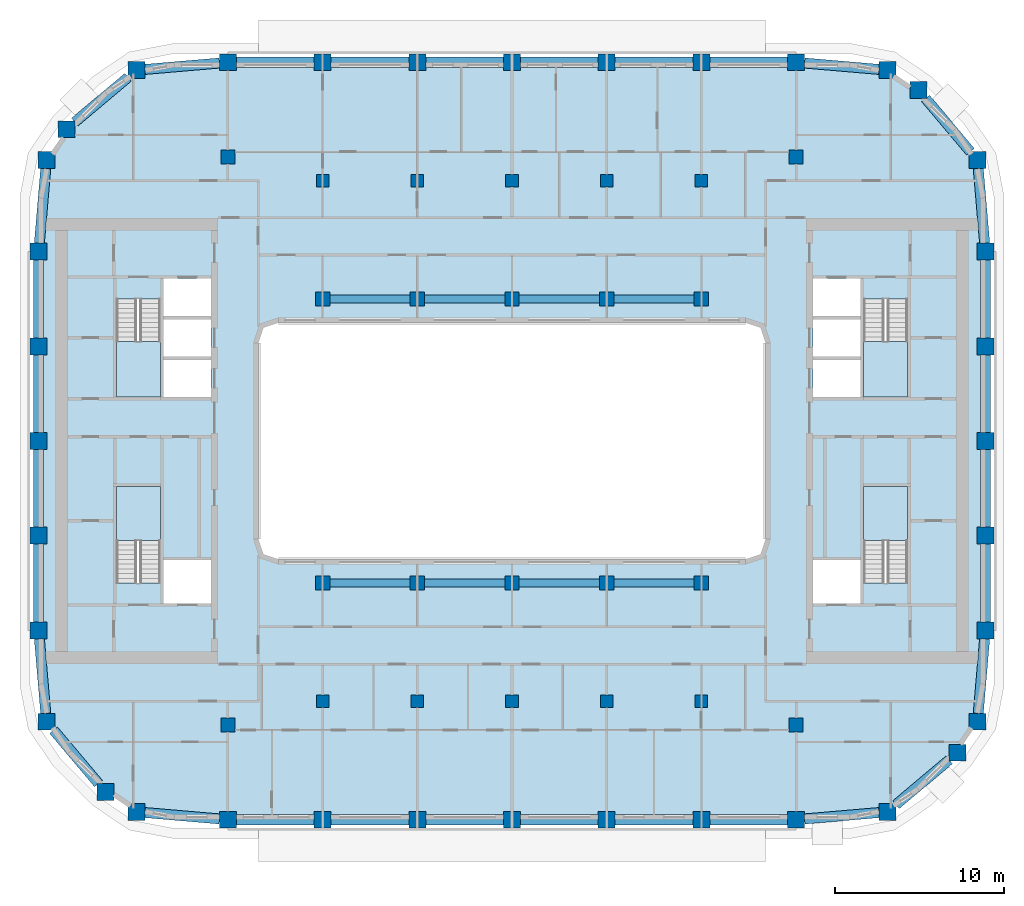
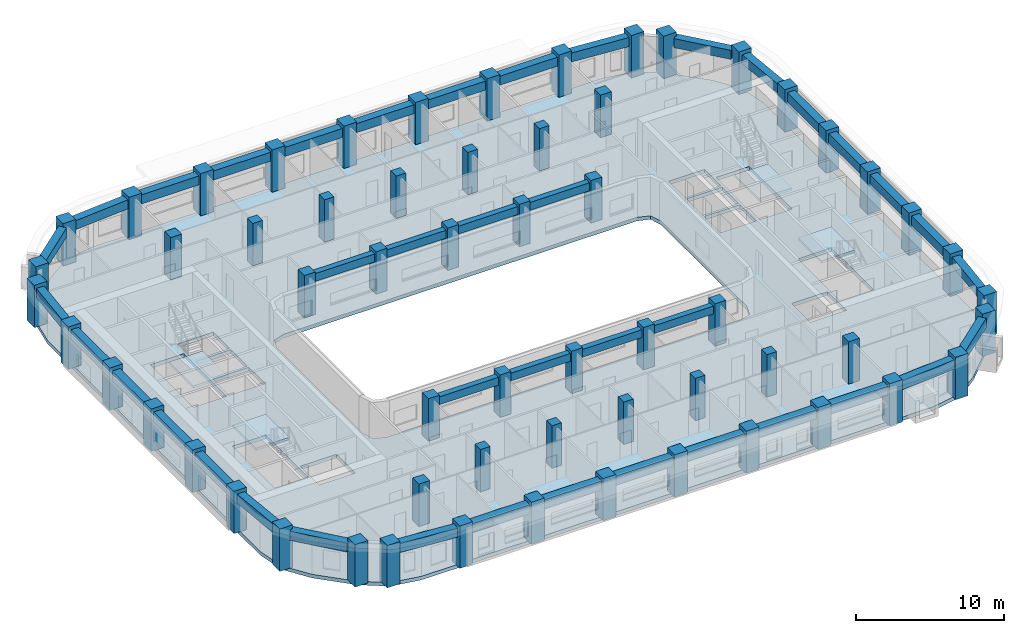
# One storey, part 1 of 22: 60 columns, 40 beams, 5 slabs, 4 elements without a shape of their own.
"""IFC4 building model written with IfcOpenShell, lengths in metres."""

from ifc_helpers import new_model, si_unit, direction, frame, origin, origin_2d, place, context, subcontext, project, spatial, polyline, rectangle, outline, extrude, material, layer, layer_set, material_profile, profile_set, type_object, element, aggregate, save


model = new_model("IFC4")

# Units and contexts
model_context = context("Model", 3, precision=1e-05, world=origin(), true_north=direction((0.0, 1.0)))
body_context = subcontext(model_context, "Body", "Model", "MODEL_VIEW")
ifc_project = project(units=[si_unit("LENGTHUNIT", "METRE"), si_unit("AREAUNIT", "SQUARE_METRE"), si_unit("VOLUMEUNIT", "CUBIC_METRE"), si_unit("PLANEANGLEUNIT", "RADIAN"), si_unit("MASSUNIT", "GRAM", prefix="KILO")], contexts=[model_context])

# Site, building, storey
site_placement = place(None, origin())
site = spatial("IfcSite", under=ifc_project, at=site_placement, CompositionType="ELEMENT")
building_placement = place(site_placement, origin())
building = spatial("IfcBuilding", under=site, at=building_placement, Name="Kiln Ring Residences", CompositionType="ELEMENT")
storey_placement = place(building_placement, frame((0.0, 0.0, 164.10009765625)))
storey = spatial("IfcBuildingStorey", under=building, at=storey_placement, Name="L42", CompositionType="ELEMENT", Elevation=164.10009765625)

# Columns
ifc_material_1 = material(Name="Concrete C70/85", Category="concrete")
ifc_material_profile_1 = material_profile(ifc_material_1, rectangle(XDim=0.75, YDim=0.75, at=origin_2d()), Name="RC750x750")
ifc_profile_set_1 = profile_set([ifc_material_profile_1], Name="Concrete C70/85")
column_type_1 = type_object("IfcColumnType", Name="Corridor column RC750x750 C70/85", PredefinedType="COLUMN", material=ifc_profile_set_1)
for number, where, z_axis, x_axis, name in (
    (1, (-11.199951171875, 15.39990234375, 0.0), (0.0, 0.0, 1.0), (1.0, 0.0, 0.0), "Corridor column L42 1"),
    (2, (-5.60009765625, 15.39990234375, 0.0), (0.0, 0.0, 1.0), (1.0, 0.0, 0.0), "Corridor column L42 2"),
    (3, (0.0, 15.39990234375, 0.0), (0.0, 0.0, 1.0), (1.0, 0.0, 0.0), "Corridor column L42 3"),
    (4, (5.60009765625, 15.39990234375, 0.0), (0.0, 0.0, 1.0), (1.0, 0.0, 0.0), "Corridor column L42 4"),
    (5, (11.199951171875, 15.39990234375, 0.0), (0.0, 0.0, 1.0), (1.0, 0.0, 0.0), "Corridor column L42 5"),
    (6, (-11.199951171875, -15.39990234375, 0.0), (0.0, 0.0, 1.0), (1.0, 0.0, 0.0), "Corridor column L42 6"),
    (7, (-5.60009765625, -15.39990234375, 0.0), (0.0, 0.0, 1.0), (1.0, 0.0, 0.0), "Corridor column L42 7"),
    (8, (0.0, -15.39990234375, 0.0), (0.0, 0.0, 1.0), (1.0, 0.0, 0.0), "Corridor column L42 8"),
    (9, (5.60009765625, -15.39990234375, 0.0), (0.0, 0.0, 1.0), (1.0, 0.0, 0.0), "Corridor column L42 9"),
    (10, (11.199951171875, -15.39990234375, 0.0), (0.0, 0.0, 1.0), (1.0, 0.0, 0.0), "Corridor column L42 10"),
):
    element("IfcColumn", number, at=place(storey_placement, frame(where, z_axis=z_axis, x_axis=x_axis)), inside=storey, type_object=column_type_1, Name=name, PredefinedType="COLUMN", context=body_context, shape_type="SweptSolid", body=[
        extrude(rectangle(XDim=0.75, YDim=0.75, at=origin_2d()), origin(), (0.0, 0.0, 1.0), 3.5),
    ])
ifc_material_2 = material(Name="Concrete C70/85", Category="concrete")
ifc_material_profile_2 = material_profile(ifc_material_2, rectangle(XDim=1.0, YDim=1.0, at=origin_2d()), Name="RC1000x1000")
ifc_profile_set_2 = profile_set([ifc_material_profile_2], Name="Concrete C70/85")
column_type_2 = type_object("IfcColumnType", Name="Perimeter column RC1000x1000 C70/85", PredefinedType="COLUMN", material=ifc_profile_set_2)
for number, where, z_axis, x_axis, name in (
    (11, (-22.208740234375, -21.93798828125, 0.0), (0.0, 0.0, 1.0), (1.0, 0.0, 0.0), "Perimeter column L42 1"),
    (12, (-16.800048828125, -22.39990234375, 0.0), (0.0, 0.0, 1.0), (1.0, 0.0, 0.0), "Perimeter column L42 2"),
    (13, (-11.199951171875, -22.39990234375, 0.0), (0.0, 0.0, 1.0), (1.0, 0.0, 0.0), "Perimeter column L42 3"),
    (14, (-5.60009765625, -22.39990234375, 0.0), (0.0, 0.0, 1.0), (1.0, 0.0, 0.0), "Perimeter column L42 4"),
    (15, (0.0, -22.39990234375, 0.0), (0.0, 0.0, 1.0), (1.0, 0.0, 0.0), "Perimeter column L42 5"),
    (16, (5.60009765625, -22.39990234375, 0.0), (0.0, 0.0, 1.0), (1.0, 0.0, 0.0), "Perimeter column L42 6"),
    (17, (11.199951171875, -22.39990234375, 0.0), (0.0, 0.0, 1.0), (1.0, 0.0, 0.0), "Perimeter column L42 7"),
    (18, (16.800048828125, -22.39990234375, 0.0), (0.0, 0.0, 1.0), (1.0, 0.0, 0.0), "Perimeter column L42 8"),
    (19, (22.208740234375, -21.93798828125, 0.0), (0.0, 0.0, 1.0), (1.0, 0.0, 0.0), "Perimeter column L42 9"),
    (20, (26.35986328125, -18.440185546875, 0.0), (0.0, 0.0, 1.0), (1.0, 0.0, 0.0), "Perimeter column L42 10"),
    (21, (27.5380859375, -16.608642578125, 0.0), (0.0, 0.0, 1.0), (1.0, 0.0, 0.0), "Perimeter column L42 11"),
    (22, (28.0, -11.199951171875, 0.0), (0.0, 0.0, 1.0), (1.0, 0.0, 0.0), "Perimeter column L42 12"),
    (23, (28.0, -5.60009765625, 0.0), (0.0, 0.0, 1.0), (1.0, 0.0, 0.0), "Perimeter column L42 13"),
    (24, (28.0, 0.0, 0.0), (0.0, 0.0, 1.0), (1.0, 0.0, 0.0), "Perimeter column L42 14"),
    (25, (28.0, 5.60009765625, 0.0), (0.0, 0.0, 1.0), (1.0, 0.0, 0.0), "Perimeter column L42 15"),
    (26, (28.0, 11.199951171875, 0.0), (0.0, 0.0, 1.0), (1.0, 0.0, 0.0), "Perimeter column L42 16"),
    (27, (27.5380859375, 16.608642578125, 0.0), (0.0, 0.0, 1.0), (1.0, 0.0, 0.0), "Perimeter column L42 17"),
    (28, (24.040283203125, 20.759765625, 0.0), (0.0, 0.0, 1.0), (1.0, 0.0, 0.0), "Perimeter column L42 18"),
    (29, (22.208740234375, 21.93798828125, 0.0), (0.0, 0.0, 1.0), (1.0, 0.0, 0.0), "Perimeter column L42 19"),
    (30, (16.800048828125, 22.39990234375, 0.0), (0.0, 0.0, 1.0), (1.0, 0.0, 0.0), "Perimeter column L42 20"),
    (31, (11.199951171875, 22.39990234375, 0.0), (0.0, 0.0, 1.0), (1.0, 0.0, 0.0), "Perimeter column L42 21"),
    (32, (5.60009765625, 22.39990234375, 0.0), (0.0, 0.0, 1.0), (1.0, 0.0, 0.0), "Perimeter column L42 22"),
    (33, (0.0, 22.39990234375, 0.0), (0.0, 0.0, 1.0), (1.0, 0.0, 0.0), "Perimeter column L42 23"),
    (34, (-5.60009765625, 22.39990234375, 0.0), (0.0, 0.0, 1.0), (1.0, 0.0, 0.0), "Perimeter column L42 24"),
    (35, (-11.199951171875, 22.39990234375, 0.0), (0.0, 0.0, 1.0), (1.0, 0.0, 0.0), "Perimeter column L42 25"),
    (36, (-16.800048828125, 22.39990234375, 0.0), (0.0, 0.0, 1.0), (1.0, 0.0, 0.0), "Perimeter column L42 26"),
    (37, (-22.208740234375, 21.93798828125, 0.0), (0.0, 0.0, 1.0), (1.0, 0.0, 0.0), "Perimeter column L42 27"),
    (38, (-26.35986328125, 18.440185546875, 0.0), (0.0, 0.0, 1.0), (1.0, 0.0, 0.0), "Perimeter column L42 28"),
    (39, (-27.5380859375, 16.608642578125, 0.0), (0.0, 0.0, 1.0), (1.0, 0.0, 0.0), "Perimeter column L42 29"),
    (40, (-28.0, 11.199951171875, 0.0), (0.0, 0.0, 1.0), (1.0, 0.0, 0.0), "Perimeter column L42 30"),
    (41, (-28.0, 5.60009765625, 0.0), (0.0, 0.0, 1.0), (1.0, 0.0, 0.0), "Perimeter column L42 31"),
    (42, (-28.0, 0.0, 0.0), (0.0, 0.0, 1.0), (1.0, 0.0, 0.0), "Perimeter column L42 32"),
    (43, (-28.0, -5.60009765625, 0.0), (0.0, 0.0, 1.0), (1.0, 0.0, 0.0), "Perimeter column L42 33"),
    (44, (-28.0, -11.199951171875, 0.0), (0.0, 0.0, 1.0), (1.0, 0.0, 0.0), "Perimeter column L42 34"),
    (45, (-27.5380859375, -16.608642578125, 0.0), (0.0, 0.0, 1.0), (1.0, 0.0, 0.0), "Perimeter column L42 35"),
    (46, (-24.040283203125, -20.759765625, 0.0), (0.0, 0.0, 1.0), (1.0, 0.0, 0.0), "Perimeter column L42 36"),
):
    element("IfcColumn", number, at=place(storey_placement, frame(where, z_axis=z_axis, x_axis=x_axis)), inside=storey, type_object=column_type_2, Name=name, PredefinedType="COLUMN", context=body_context, shape_type="SweptSolid", body=[
        extrude(rectangle(XDim=1.0, YDim=1.0, at=origin_2d()), origin(), (0.0, 0.0, 1.0), 3.5),
    ])
ifc_material_3 = material(Name="Concrete C70/85", Category="concrete")
ifc_material_profile_3 = material_profile(ifc_material_3, rectangle(XDim=0.85009765625, YDim=0.85009765625, at=origin_2d()), Name="RC850x850")
ifc_profile_set_3 = profile_set([ifc_material_profile_3], Name="Concrete C70/85")
column_type_3 = type_object("IfcColumnType", Name="Ring column RC850x850 C70/85", PredefinedType="COLUMN", material=ifc_profile_set_3)
for number, where, z_axis, x_axis, name in (
    (47, (-16.800048828125, -16.800048828125, 0.0), (0.0, 0.0, 1.0), (1.0, 0.0, 0.0), "Ring column L42 1"),
    (48, (-16.800048828125, 16.800048828125, 0.0), (0.0, 0.0, 1.0), (1.0, 0.0, 0.0), "Ring column L42 2"),
    (49, (-11.199951171875, -8.39990234375, 0.0), (0.0, 0.0, 1.0), (1.0, 0.0, 0.0), "Ring column L42 3"),
    (50, (-11.199951171875, 8.39990234375, 0.0), (0.0, 0.0, 1.0), (1.0, 0.0, 0.0), "Ring column L42 4"),
    (51, (-5.60009765625, -8.39990234375, 0.0), (0.0, 0.0, 1.0), (1.0, 0.0, 0.0), "Ring column L42 5"),
    (52, (-5.60009765625, 8.39990234375, 0.0), (0.0, 0.0, 1.0), (1.0, 0.0, 0.0), "Ring column L42 6"),
    (53, (0.0, -8.39990234375, 0.0), (0.0, 0.0, 1.0), (1.0, 0.0, 0.0), "Ring column L42 7"),
    (54, (0.0, 8.39990234375, 0.0), (0.0, 0.0, 1.0), (1.0, 0.0, 0.0), "Ring column L42 8"),
    (55, (5.60009765625, -8.39990234375, 0.0), (0.0, 0.0, 1.0), (1.0, 0.0, 0.0), "Ring column L42 9"),
    (56, (5.60009765625, 8.39990234375, 0.0), (0.0, 0.0, 1.0), (1.0, 0.0, 0.0), "Ring column L42 10"),
    (57, (11.199951171875, -8.39990234375, 0.0), (0.0, 0.0, 1.0), (1.0, 0.0, 0.0), "Ring column L42 11"),
    (58, (11.199951171875, 8.39990234375, 0.0), (0.0, 0.0, 1.0), (1.0, 0.0, 0.0), "Ring column L42 12"),
    (59, (16.800048828125, -16.800048828125, 0.0), (0.0, 0.0, 1.0), (1.0, 0.0, 0.0), "Ring column L42 13"),
    (60, (16.800048828125, 16.800048828125, 0.0), (0.0, 0.0, 1.0), (1.0, 0.0, 0.0), "Ring column L42 14"),
):
    element("IfcColumn", number, at=place(storey_placement, frame(where, z_axis=z_axis, x_axis=x_axis)), inside=storey, type_object=column_type_3, Name=name, PredefinedType="COLUMN", context=body_context, shape_type="SweptSolid", body=[
        extrude(rectangle(XDim=0.85009765625, YDim=0.85009765625, at=origin_2d()), origin(), (0.0, 0.0, 1.0), 3.5),
    ])

# Beams
ifc_material_4 = material(Name="Concrete C50/60", Category="concrete")
ifc_material_profile_4 = material_profile(ifc_material_4, rectangle(XDim=0.449951171875, YDim=0.64990234375, at=origin_2d()), Name="RC450x650")
ifc_profile_set_4 = profile_set([ifc_material_profile_4], Name="Concrete C50/60")
beam_type_1 = type_object("IfcBeamType", Name="Ring beam RC450x650 C50/60", PredefinedType="BEAM", material=ifc_profile_set_4)
for number, where, z_axis, x_axis, name in (
    (61, (-10.77490234375, -8.39990234375, 2.875), (1.0, 0.0, 0.0), (0.0, 1.0, 0.0), "Ring beam L42 1"),
    (62, (-5.175048828125, -8.39990234375, 2.875), (1.0, 0.0, 0.0), (0.0, 1.0, 0.0), "Ring beam L42 2"),
    (63, (0.425048828125, -8.39990234375, 2.875), (1.0, 0.0, 0.0), (0.0, 1.0, 0.0), "Ring beam L42 3"),
    (64, (6.02490234375, -8.39990234375, 2.875), (1.0, 0.0, 0.0), (0.0, 1.0, 0.0), "Ring beam L42 4"),
    (65, (-10.77490234375, 8.39990234375, 2.875), (1.0, 0.0, 0.0), (0.0, 1.0, 0.0), "Ring beam L42 5"),
    (66, (-5.175048828125, 8.39990234375, 2.875), (1.0, 0.0, 0.0), (0.0, 1.0, 0.0), "Ring beam L42 6"),
    (67, (0.425048828125, 8.39990234375, 2.875), (1.0, 0.0, 0.0), (0.0, 1.0, 0.0), "Ring beam L42 7"),
    (68, (6.02490234375, 8.39990234375, 2.875), (1.0, 0.0, 0.0), (0.0, 1.0, 0.0), "Ring beam L42 8"),
):
    element("IfcBeam", number, at=place(storey_placement, frame(where, z_axis=z_axis, x_axis=x_axis)), inside=storey, type_object=beam_type_1, Name=name, PredefinedType="BEAM", context=body_context, shape_type="SweptSolid", body=[
        extrude(rectangle(XDim=0.449951171875, YDim=0.64990234375, at=origin_2d()), origin(), (0.0, 0.0, 1.0), 4.75),
    ])
ifc_material_5 = material(Name="Concrete C50/60", Category="concrete")
ifc_material_profile_5 = material_profile(ifc_material_5, rectangle(XDim=0.60009765625, YDim=0.75, at=origin_2d()), Name="RC600x750")
ifc_profile_set_5 = profile_set([ifc_material_profile_5], Name="Concrete C50/60")
beam_type_2 = type_object("IfcBeamType", Name="Spandrel beam RC600x750 C50/60", PredefinedType="SPANDREL", material=ifc_profile_set_5)
beam_1_placement = place(storey_placement, frame((-21.708740234375, -21.980712890625, 2.824951171875), z_axis=(0.996369283519, -0.0851366599, 0.0), x_axis=(0.0851366599, 0.996369283519, 0.0)))
element("IfcBeam", 69, at=beam_1_placement, inside=storey, type_object=beam_type_2, Name="Spandrel beam L42 1", PredefinedType="SPANDREL", context=body_context, shape_type="SweptSolid", body=[
    extrude(rectangle(XDim=0.60009765625, YDim=0.75, at=origin_2d()), origin(), (0.0, 0.0, 1.0), 4.4248046875),
])
beam_2_placement = place(storey_placement, frame((-16.300048828125, -22.39990234375, 2.824951171875), z_axis=(1.0, 0.0, 0.0), x_axis=(0.0, 1.0, 0.0)))
element("IfcBeam", 70, at=beam_2_placement, inside=storey, type_object=beam_type_2, Name="Spandrel beam L42 2", PredefinedType="SPANDREL", context=body_context, shape_type="SweptSolid", body=[
    extrude(rectangle(XDim=0.60009765625, YDim=0.75, at=origin_2d()), origin(), (0.0, 0.0, 1.0), 4.60009765625),
])
beam_3_placement = place(storey_placement, frame((-10.699951171875, -22.39990234375, 2.824951171875), z_axis=(1.0, 0.0, 0.0), x_axis=(0.0, 1.0, 0.0)))
element("IfcBeam", 71, at=beam_3_placement, inside=storey, type_object=beam_type_2, Name="Spandrel beam L42 3", PredefinedType="SPANDREL", context=body_context, shape_type="SweptSolid", body=[
    extrude(rectangle(XDim=0.60009765625, YDim=0.75, at=origin_2d()), origin(), (0.0, 0.0, 1.0), 4.599853515625),
])
for number, where, z_axis, x_axis, name in (
    (72, (-5.10009765625, -22.39990234375, 2.824951171875), (1.0, 0.0, 0.0), (0.0, 1.0, 0.0), "Spandrel beam L42 4"),
    (73, (0.5, -22.39990234375, 2.824951171875), (1.0, 0.0, 0.0), (0.0, 1.0, 0.0), "Spandrel beam L42 5"),
):
    element("IfcBeam", number, at=place(storey_placement, frame(where, z_axis=z_axis, x_axis=x_axis)), inside=storey, type_object=beam_type_2, Name=name, PredefinedType="SPANDREL", context=body_context, shape_type="SweptSolid", body=[
        extrude(rectangle(XDim=0.60009765625, YDim=0.75, at=origin_2d()), origin(), (0.0, 0.0, 1.0), 4.60009765625),
    ])
beam_4_placement = place(storey_placement, frame((6.10009765625, -22.39990234375, 2.824951171875), z_axis=(1.0, 0.0, 0.0), x_axis=(0.0, 1.0, 0.0)))
element("IfcBeam", 74, at=beam_4_placement, inside=storey, type_object=beam_type_2, Name="Spandrel beam L42 6", PredefinedType="SPANDREL", context=body_context, shape_type="SweptSolid", body=[
    extrude(rectangle(XDim=0.60009765625, YDim=0.75, at=origin_2d()), origin(), (0.0, 0.0, 1.0), 4.599853515625),
])
beam_5_placement = place(storey_placement, frame((11.699951171875, -22.39990234375, 2.824951171875), z_axis=(1.0, 0.0, 0.0), x_axis=(0.0, 1.0, 0.0)))
element("IfcBeam", 75, at=beam_5_placement, inside=storey, type_object=beam_type_2, Name="Spandrel beam L42 7", PredefinedType="SPANDREL", context=body_context, shape_type="SweptSolid", body=[
    extrude(rectangle(XDim=0.60009765625, YDim=0.75, at=origin_2d()), origin(), (0.0, 0.0, 1.0), 4.60009765625),
])
beam_6_placement = place(storey_placement, frame((17.300048828125, -22.357421875, 2.824951171875), z_axis=(0.996369283519, 0.0851366599, 0.0), x_axis=(-0.0851366599, 0.996369283519, 0.0)))
element("IfcBeam", 76, at=beam_6_placement, inside=storey, type_object=beam_type_2, Name="Spandrel beam L42 8", PredefinedType="SPANDREL", context=body_context, shape_type="SweptSolid", body=[
    extrude(rectangle(XDim=0.60009765625, YDim=0.75, at=origin_2d()), origin(), (0.0, 0.0, 1.0), 4.4248046875),
])
beam_7_placement = place(storey_placement, frame((22.708740234375, -21.516845703125, 2.824951171875), z_axis=(0.764708354916, 0.644376545136, 0.0), x_axis=(-0.644376545136, 0.764708354916, 0.0)))
element("IfcBeam", 77, at=beam_7_placement, inside=storey, type_object=beam_type_2, Name="Spandrel beam L42 9", PredefinedType="SPANDREL", context=body_context, shape_type="SweptSolid", body=[
    extrude(rectangle(XDim=0.60009765625, YDim=0.75, at=origin_2d()), origin(), (0.0, 0.0, 1.0), 4.12060546875),
])
beam_8_placement = place(storey_placement, frame((27.580810546875, -16.108642578125, 2.824951171875), z_axis=(0.085081883384, 0.996373962486, 0.0), x_axis=(-0.996373962486, 0.085081883384, 0.0)))
element("IfcBeam", 78, at=beam_8_placement, inside=storey, type_object=beam_type_2, Name="Spandrel beam L42 10", PredefinedType="SPANDREL", context=body_context, shape_type="SweptSolid", body=[
    extrude(rectangle(XDim=0.60009765625, YDim=0.75, at=origin_2d()), origin(), (0.0, 0.0, 1.0), 4.4248046875),
])
beam_9_placement = place(storey_placement, frame((28.0, -10.699951171875, 2.824951171875), z_axis=(0.0, 1.0, 0.0), x_axis=(-1.0, 0.0, 0.0)))
element("IfcBeam", 79, at=beam_9_placement, inside=storey, type_object=beam_type_2, Name="Spandrel beam L42 11", PredefinedType="SPANDREL", context=body_context, shape_type="SweptSolid", body=[
    extrude(rectangle(XDim=0.60009765625, YDim=0.75, at=origin_2d()), origin(), (0.0, 0.0, 1.0), 4.599853515625),
])
for number, where, z_axis, x_axis, name in (
    (80, (28.0, -5.10009765625, 2.824951171875), (0.0, 1.0, 0.0), (-1.0, 0.0, 0.0), "Spandrel beam L42 12"),
    (81, (28.0, 0.5, 2.824951171875), (0.0, 1.0, 0.0), (-1.0, 0.0, 0.0), "Spandrel beam L42 13"),
):
    element("IfcBeam", number, at=place(storey_placement, frame(where, z_axis=z_axis, x_axis=x_axis)), inside=storey, type_object=beam_type_2, Name=name, PredefinedType="SPANDREL", context=body_context, shape_type="SweptSolid", body=[
        extrude(rectangle(XDim=0.60009765625, YDim=0.75, at=origin_2d()), origin(), (0.0, 0.0, 1.0), 4.60009765625),
    ])
beam_10_placement = place(storey_placement, frame((28.0, 6.10009765625, 2.824951171875), z_axis=(0.0, 1.0, 0.0), x_axis=(-1.0, 0.0, 0.0)))
element("IfcBeam", 82, at=beam_10_placement, inside=storey, type_object=beam_type_2, Name="Spandrel beam L42 14", PredefinedType="SPANDREL", context=body_context, shape_type="SweptSolid", body=[
    extrude(rectangle(XDim=0.60009765625, YDim=0.75, at=origin_2d()), origin(), (0.0, 0.0, 1.0), 4.599853515625),
])
beam_11_placement = place(storey_placement, frame((27.957275390625, 11.699951171875, 2.824951171875), z_axis=(-0.085081883384, 0.996373962486, 0.0), x_axis=(-0.996373962486, -0.085081883384, 0.0)))
element("IfcBeam", 83, at=beam_11_placement, inside=storey, type_object=beam_type_2, Name="Spandrel beam L42 15", PredefinedType="SPANDREL", context=body_context, shape_type="SweptSolid", body=[
    extrude(rectangle(XDim=0.60009765625, YDim=0.75, at=origin_2d()), origin(), (0.0, 0.0, 1.0), 4.4248046875),
])
beam_12_placement = place(storey_placement, frame((27.11669921875, 17.108642578125, 2.824951171875), z_axis=(-0.644376545136, 0.764708354916, 0.0), x_axis=(-0.764708354916, -0.644376545136, 0.0)))
element("IfcBeam", 84, at=beam_12_placement, inside=storey, type_object=beam_type_2, Name="Spandrel beam L42 16", PredefinedType="SPANDREL", context=body_context, shape_type="SweptSolid", body=[
    extrude(rectangle(XDim=0.60009765625, YDim=0.75, at=origin_2d()), origin(), (0.0, 0.0, 1.0), 4.12060546875),
])
beam_13_placement = place(storey_placement, frame((21.708740234375, 21.980712890625, 2.824951171875), z_axis=(-0.996369283519, 0.0851366599, 0.0), x_axis=(-0.0851366599, -0.996369283519, 0.0)))
element("IfcBeam", 85, at=beam_13_placement, inside=storey, type_object=beam_type_2, Name="Spandrel beam L42 17", PredefinedType="SPANDREL", context=body_context, shape_type="SweptSolid", body=[
    extrude(rectangle(XDim=0.60009765625, YDim=0.75, at=origin_2d()), origin(), (0.0, 0.0, 1.0), 4.4248046875),
])
beam_14_placement = place(storey_placement, frame((16.300048828125, 22.39990234375, 2.824951171875), z_axis=(-1.0, 0.0, 0.0), x_axis=(0.0, -1.0, 0.0)))
element("IfcBeam", 86, at=beam_14_placement, inside=storey, type_object=beam_type_2, Name="Spandrel beam L42 18", PredefinedType="SPANDREL", context=body_context, shape_type="SweptSolid", body=[
    extrude(rectangle(XDim=0.60009765625, YDim=0.75, at=origin_2d()), origin(), (0.0, 0.0, 1.0), 4.60009765625),
])
beam_15_placement = place(storey_placement, frame((10.699951171875, 22.39990234375, 2.824951171875), z_axis=(-1.0, 0.0, 0.0), x_axis=(0.0, -1.0, 0.0)))
element("IfcBeam", 87, at=beam_15_placement, inside=storey, type_object=beam_type_2, Name="Spandrel beam L42 19", PredefinedType="SPANDREL", context=body_context, shape_type="SweptSolid", body=[
    extrude(rectangle(XDim=0.60009765625, YDim=0.75, at=origin_2d()), origin(), (0.0, 0.0, 1.0), 4.599853515625),
])
for number, where, z_axis, x_axis, name in (
    (88, (5.10009765625, 22.39990234375, 2.824951171875), (-1.0, 0.0, 0.0), (0.0, -1.0, 0.0), "Spandrel beam L42 20"),
    (89, (-0.5, 22.39990234375, 2.824951171875), (-1.0, 0.0, 0.0), (0.0, -1.0, 0.0), "Spandrel beam L42 21"),
):
    element("IfcBeam", number, at=place(storey_placement, frame(where, z_axis=z_axis, x_axis=x_axis)), inside=storey, type_object=beam_type_2, Name=name, PredefinedType="SPANDREL", context=body_context, shape_type="SweptSolid", body=[
        extrude(rectangle(XDim=0.60009765625, YDim=0.75, at=origin_2d()), origin(), (0.0, 0.0, 1.0), 4.60009765625),
    ])
beam_16_placement = place(storey_placement, frame((-6.10009765625, 22.39990234375, 2.824951171875), z_axis=(-1.0, 0.0, 0.0), x_axis=(0.0, -1.0, 0.0)))
element("IfcBeam", 90, at=beam_16_placement, inside=storey, type_object=beam_type_2, Name="Spandrel beam L42 22", PredefinedType="SPANDREL", context=body_context, shape_type="SweptSolid", body=[
    extrude(rectangle(XDim=0.60009765625, YDim=0.75, at=origin_2d()), origin(), (0.0, 0.0, 1.0), 4.599853515625),
])
beam_17_placement = place(storey_placement, frame((-11.699951171875, 22.39990234375, 2.824951171875), z_axis=(-1.0, 0.0, 0.0), x_axis=(0.0, -1.0, 0.0)))
element("IfcBeam", 91, at=beam_17_placement, inside=storey, type_object=beam_type_2, Name="Spandrel beam L42 23", PredefinedType="SPANDREL", context=body_context, shape_type="SweptSolid", body=[
    extrude(rectangle(XDim=0.60009765625, YDim=0.75, at=origin_2d()), origin(), (0.0, 0.0, 1.0), 4.60009765625),
])
beam_18_placement = place(storey_placement, frame((-17.300048828125, 22.357421875, 2.824951171875), z_axis=(-0.996369283519, -0.0851366599, 0.0), x_axis=(0.0851366599, -0.996369283519, 0.0)))
element("IfcBeam", 92, at=beam_18_placement, inside=storey, type_object=beam_type_2, Name="Spandrel beam L42 24", PredefinedType="SPANDREL", context=body_context, shape_type="SweptSolid", body=[
    extrude(rectangle(XDim=0.60009765625, YDim=0.75, at=origin_2d()), origin(), (0.0, 0.0, 1.0), 4.4248046875),
])
beam_19_placement = place(storey_placement, frame((-22.708740234375, 21.516845703125, 2.824951171875), z_axis=(-0.764708354916, -0.644376545136, 0.0), x_axis=(0.644376545136, -0.764708354916, 0.0)))
element("IfcBeam", 93, at=beam_19_placement, inside=storey, type_object=beam_type_2, Name="Spandrel beam L42 25", PredefinedType="SPANDREL", context=body_context, shape_type="SweptSolid", body=[
    extrude(rectangle(XDim=0.60009765625, YDim=0.75, at=origin_2d()), origin(), (0.0, 0.0, 1.0), 4.12060546875),
])
beam_20_placement = place(storey_placement, frame((-27.580810546875, 16.108642578125, 2.824951171875), z_axis=(-0.085081883384, -0.996373962486, 0.0), x_axis=(0.996373962486, -0.085081883384, 0.0)))
element("IfcBeam", 94, at=beam_20_placement, inside=storey, type_object=beam_type_2, Name="Spandrel beam L42 26", PredefinedType="SPANDREL", context=body_context, shape_type="SweptSolid", body=[
    extrude(rectangle(XDim=0.60009765625, YDim=0.75, at=origin_2d()), origin(), (0.0, 0.0, 1.0), 4.4248046875),
])
beam_21_placement = place(storey_placement, frame((-28.0, 10.699951171875, 2.824951171875), z_axis=(0.0, -1.0, 0.0), x_axis=(1.0, 0.0, 0.0)))
element("IfcBeam", 95, at=beam_21_placement, inside=storey, type_object=beam_type_2, Name="Spandrel beam L42 27", PredefinedType="SPANDREL", context=body_context, shape_type="SweptSolid", body=[
    extrude(rectangle(XDim=0.60009765625, YDim=0.75, at=origin_2d()), origin(), (0.0, 0.0, 1.0), 4.599853515625),
])
for number, where, z_axis, x_axis, name in (
    (96, (-28.0, 5.10009765625, 2.824951171875), (0.0, -1.0, 0.0), (1.0, 0.0, 0.0), "Spandrel beam L42 28"),
    (97, (-28.0, -0.5, 2.824951171875), (0.0, -1.0, 0.0), (1.0, 0.0, 0.0), "Spandrel beam L42 29"),
):
    element("IfcBeam", number, at=place(storey_placement, frame(where, z_axis=z_axis, x_axis=x_axis)), inside=storey, type_object=beam_type_2, Name=name, PredefinedType="SPANDREL", context=body_context, shape_type="SweptSolid", body=[
        extrude(rectangle(XDim=0.60009765625, YDim=0.75, at=origin_2d()), origin(), (0.0, 0.0, 1.0), 4.60009765625),
    ])
beam_22_placement = place(storey_placement, frame((-28.0, -6.10009765625, 2.824951171875), z_axis=(0.0, -1.0, 0.0), x_axis=(1.0, 0.0, 0.0)))
element("IfcBeam", 98, at=beam_22_placement, inside=storey, type_object=beam_type_2, Name="Spandrel beam L42 30", PredefinedType="SPANDREL", context=body_context, shape_type="SweptSolid", body=[
    extrude(rectangle(XDim=0.60009765625, YDim=0.75, at=origin_2d()), origin(), (0.0, 0.0, 1.0), 4.599853515625),
])
beam_23_placement = place(storey_placement, frame((-27.957275390625, -11.699951171875, 2.824951171875), z_axis=(0.085081883384, -0.996373962486, 0.0), x_axis=(0.996373962486, 0.085081883384, 0.0)))
element("IfcBeam", 99, at=beam_23_placement, inside=storey, type_object=beam_type_2, Name="Spandrel beam L42 31", PredefinedType="SPANDREL", context=body_context, shape_type="SweptSolid", body=[
    extrude(rectangle(XDim=0.60009765625, YDim=0.75, at=origin_2d()), origin(), (0.0, 0.0, 1.0), 4.4248046875),
])
beam_24_placement = place(storey_placement, frame((-27.11669921875, -17.108642578125, 2.824951171875), z_axis=(0.644376545136, -0.764708354916, 0.0), x_axis=(0.764708354916, 0.644376545136, 0.0)))
element("IfcBeam", 100, at=beam_24_placement, inside=storey, type_object=beam_type_2, Name="Spandrel beam L42 32", PredefinedType="SPANDREL", context=body_context, shape_type="SweptSolid", body=[
    extrude(rectangle(XDim=0.60009765625, YDim=0.75, at=origin_2d()), origin(), (0.0, 0.0, 1.0), 4.12060546875),
])

# Stair, slab
ifc_material_6 = material(Name="Concrete C40/50", Category="concrete")
stair_type = type_object("IfcStairType", Name="CORE-STAIR", PredefinedType="HALF_TURN_STAIR", material=ifc_material_6)
placement_1 = place(storey_placement, origin())
stair_1 = element("IfcStair", 101, at=placement_1, inside=storey, type_object=stair_type, Name="L42 stair W-STN", PredefinedType="HALF_TURN_STAIR")
ifc_material_7 = material(Name="Concrete C40/50", Category="concrete")
ifc_layer_1 = layer(ifc_material_7, 0.199951171875)
ifc_layer_set_1 = layer_set([ifc_layer_1], Name="CORE-STAIR-LANDING")
slab_type_1 = type_object("IfcSlabType", Name="CORE-STAIR-LANDING", PredefinedType="LANDING", material=ifc_layer_set_1)
placement_2 = place(storey_placement, frame((0.0, 0.0, 1.5498046875)))
slab_1 = element("IfcSlab", 102, at=placement_2, type_object=slab_type_1, Name="W-STN landing 1", PredefinedType="LANDING", context=body_context, shape_type="SweptSolid", body=[
    extrude(outline(polyline([(-23.39990234375, 5.8798828125), (-23.39990234375, 2.60009765625), (-20.800048828125, 2.60009765625), (-20.800048828125, 5.8798828125), (-23.39990234375, 5.8798828125)])), origin(), (0.0, 0.0, 1.0), 0.2001953125),
])
aggregate(stair_1, [slab_1])

stair_2 = element("IfcStair", 103, at=placement_1, inside=storey, type_object=stair_type, Name="L42 stair W-STS", PredefinedType="HALF_TURN_STAIR")
slab_2 = element("IfcSlab", 104, at=placement_2, type_object=slab_type_1, Name="W-STS landing 1", PredefinedType="LANDING", context=body_context, shape_type="SweptSolid", body=[
    extrude(outline(polyline([(-20.800048828125, -5.8798828125), (-20.800048828125, -2.699951171875), (-23.39990234375, -2.699951171875), (-23.39990234375, -5.8798828125), (-20.800048828125, -5.8798828125)])), origin(), (0.0, 0.0, 1.0), 0.2001953125),
])
aggregate(stair_2, [slab_2])

stair_3 = element("IfcStair", 105, at=placement_1, inside=storey, type_object=stair_type, Name="L42 stair E-STN", PredefinedType="HALF_TURN_STAIR")
slab_3 = element("IfcSlab", 106, at=placement_2, type_object=slab_type_1, Name="E-STN landing 1", PredefinedType="LANDING", context=body_context, shape_type="SweptSolid", body=[
    extrude(outline(polyline([(20.800048828125, 5.8798828125), (20.800048828125, 2.60009765625), (23.39990234375, 2.60009765625), (23.39990234375, 5.8798828125), (20.800048828125, 5.8798828125)])), origin(), (0.0, 0.0, 1.0), 0.2001953125),
])
aggregate(stair_3, [slab_3])

stair_4 = element("IfcStair", 107, at=placement_1, inside=storey, type_object=stair_type, Name="L42 stair E-STS", PredefinedType="HALF_TURN_STAIR")
slab_4 = element("IfcSlab", 108, at=placement_2, type_object=slab_type_1, Name="E-STS landing 1", PredefinedType="LANDING", context=body_context, shape_type="SweptSolid", body=[
    extrude(outline(polyline([(23.39990234375, -5.8798828125), (23.39990234375, -2.699951171875), (20.800048828125, -2.699951171875), (20.800048828125, -5.8798828125), (23.39990234375, -5.8798828125)])), origin(), (0.0, 0.0, 1.0), 0.2001953125),
])
aggregate(stair_4, [slab_4])

# Slab
ifc_material_8 = material(Name="Concrete C40/50", Category="concrete")
ifc_layer_2 = layer(ifc_material_8, 0.300048828125)
ifc_layer_set_2 = layer_set([ifc_layer_2], Name="Floor slab 300")
slab_type_2 = type_object("IfcSlabType", Name="Floor slab 300", PredefinedType="FLOOR", material=ifc_layer_set_2)
slab_5_placement = place(storey_placement, frame((0.0, 0.0, -0.300048828125)))
element("IfcSlab", 109, at=slab_5_placement, inside=storey, type_object=slab_type_2, Name="Floor slab L42 1", PredefinedType="FLOOR", context=body_context, shape_type="SweptSolid", body=[
    extrude(outline(polyline([(-26.302978515625, -18.4970703125), (-24.09716796875, -20.702880859375), (-22.224365234375, -21.975830078125), (-20.0, -22.39990234375), (20.0, -22.39990234375), (22.224365234375, -21.975830078125), (24.09716796875, -20.702880859375), (26.302978515625, -18.4970703125), (27.57568359375, -16.624267578125), (28.0, -14.39990234375), (28.0, 14.39990234375), (27.57568359375, 16.624267578125), (26.302978515625, 18.4970703125), (24.09716796875, 20.702880859375), (22.224365234375, 21.975830078125), (20.0, 22.39990234375), (-20.0, 22.39990234375), (-22.224365234375, 21.975830078125), (-24.09716796875, 20.702880859375), (-26.302978515625, 18.4970703125), (-27.57568359375, 16.624267578125), (-28.0, 14.39990234375), (-28.0, -14.39990234375), (-27.57568359375, -16.624267578125), (-26.302978515625, -18.4970703125)]), holes=[polyline([(-14.699951171875, -6.699951171875), (-15.0, -5.800048828125), (-15.0, 5.800048828125), (-14.699951171875, 6.699951171875), (-13.800048828125, 7.0), (13.800048828125, 7.0), (14.699951171875, 6.699951171875), (15.0, 5.800048828125), (15.0, -5.800048828125), (14.699951171875, -6.699951171875), (13.800048828125, -7.0), (-13.800048828125, -7.0), (-14.699951171875, -6.699951171875)]), polyline([(20.800048828125, -8.39794921875), (20.800048828125, -2.699951171875), (23.39990234375, -2.699951171875), (23.39990234375, -8.39794921875), (20.800048828125, -8.39794921875)]), polyline([(23.39990234375, 2.60009765625), (20.800048828125, 2.60009765625), (20.800048828125, 8.39794921875), (23.39990234375, 8.39794921875), (23.39990234375, 2.60009765625)]), polyline([(17.800048828125, 2.60009765625), (17.800048828125, 4.800048828125), (20.60009765625, 4.800048828125), (20.60009765625, 2.60009765625), (17.800048828125, 2.60009765625)]), polyline([(17.800048828125, 5.0), (17.800048828125, 7.199951171875), (20.60009765625, 7.199951171875), (20.60009765625, 5.0), (17.800048828125, 5.0)]), polyline([(17.800048828125, 7.39990234375), (17.800048828125, 9.60009765625), (20.60009765625, 9.60009765625), (20.60009765625, 7.39990234375), (17.800048828125, 7.39990234375)]), polyline([(20.60009765625, -9.60009765625), (17.800048828125, -9.60009765625), (17.800048828125, -7.050048828125), (20.60009765625, -7.050048828125), (20.60009765625, -9.60009765625)]), polyline([(-17.800048828125, -7.050048828125), (-17.800048828125, -9.60009765625), (-20.60009765625, -9.60009765625), (-20.60009765625, -7.050048828125), (-17.800048828125, -7.050048828125)]), polyline([(-17.800048828125, 2.60009765625), (-20.60009765625, 2.60009765625), (-20.60009765625, 4.800048828125), (-17.800048828125, 4.800048828125), (-17.800048828125, 2.60009765625)]), polyline([(-17.800048828125, 5.0), (-20.60009765625, 5.0), (-20.60009765625, 7.199951171875), (-17.800048828125, 7.199951171875), (-17.800048828125, 5.0)]), polyline([(-17.800048828125, 7.39990234375), (-20.60009765625, 7.39990234375), (-20.60009765625, 9.60009765625), (-17.800048828125, 9.60009765625), (-17.800048828125, 7.39990234375)]), polyline([(-20.800048828125, -8.39794921875), (-23.39990234375, -8.39794921875), (-23.39990234375, -2.699951171875), (-20.800048828125, -2.699951171875), (-20.800048828125, -8.39794921875)]), polyline([(-20.800048828125, 8.39794921875), (-20.800048828125, 2.60009765625), (-23.39990234375, 2.60009765625), (-23.39990234375, 8.39794921875), (-20.800048828125, 8.39794921875)])]), origin(), (0.0, 0.0, 1.0), 0.300048828125),
])

save(model, "model.ifc")
